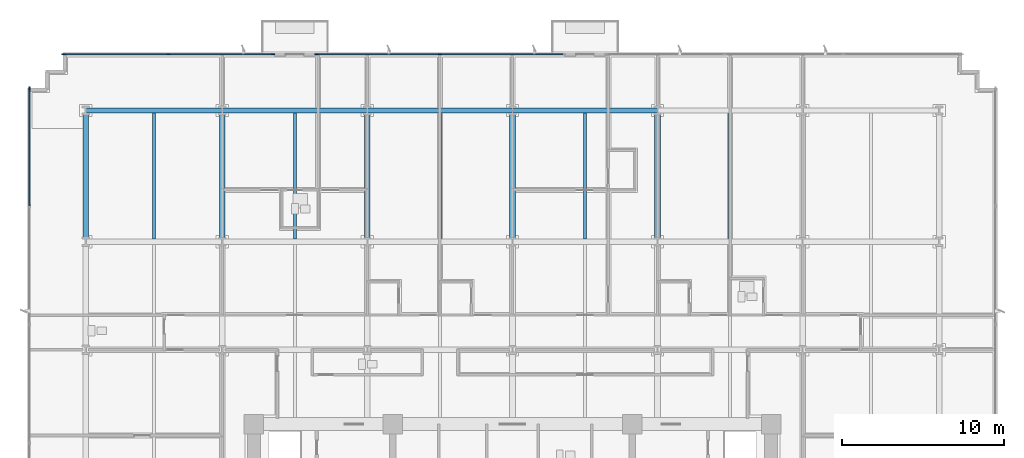
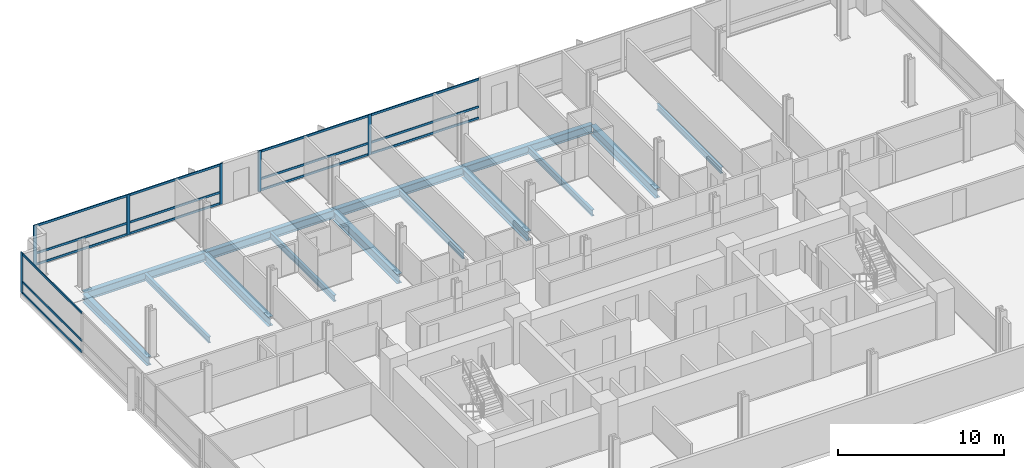
# One storey, part 5 of 15: 21 members, 14 beams, 3 elements without a shape of their own.
"""IFC4 building model written with IfcOpenShell, lengths in metres."""

from ifc_helpers import new_model, si_unit, direction, frame, origin, origin_2d, place, context, subcontext, project, spatial, rectangle, i_section, extrude, material, material_profile, profile_set, type_object, element, aggregate, save


model = new_model("IFC4")

# Units and contexts
model_context = context("Model", 3, precision=1e-05, world=origin(), true_north=direction((0.0, 1.0)))
body_context = subcontext(model_context, "Body", "Model", "MODEL_VIEW")
ifc_project = project(units=[si_unit("LENGTHUNIT", "METRE"), si_unit("AREAUNIT", "SQUARE_METRE"), si_unit("VOLUMEUNIT", "CUBIC_METRE"), si_unit("PLANEANGLEUNIT", "RADIAN"), si_unit("MASSUNIT", "GRAM", prefix="KILO")], contexts=[model_context])

# Site, building, storey
site_placement = place(None, origin())
site = spatial("IfcSite", under=ifc_project, at=site_placement, CompositionType="ELEMENT")
building_placement = place(site_placement, origin())
building = spatial("IfcBuilding", under=site, at=building_placement, Name="Solmavex Isthmus Hotel", CompositionType="ELEMENT")
storey_placement = place(building_placement, frame((0.0, 0.0, 71.25)))
storey = spatial("IfcBuildingStorey", under=building, at=storey_placement, Name="L19", CompositionType="ELEMENT", Elevation=71.25)

# Beams
ifc_material_1 = material(Name="Steel ASTM A992 Grade 50", Category="steel")
ifc_material_profile_1 = material_profile(ifc_material_1, i_section(OverallWidth=0.354736328125, OverallDepth=0.695556640625, WebThickness=0.015380859375, FlangeThickness=0.02490234375, FilletRadius=0.017822265625, at=origin_2d()), Name="W27X146")
ifc_profile_set_1 = profile_set([ifc_material_profile_1], Name="Steel ASTM A992 Grade 50")
beam_type_1 = type_object("IfcBeamType", Name="BM-BG-W27X146", PredefinedType="BEAM", material=ifc_profile_set_1)
for number, where, z_axis, x_axis, name in (
    (1, (-17.951904296875, 8.96533203125, -0.607666015625), (0.0, 1.0, 0.0), (-1.0, 0.0, 0.0), "Floor Beam L19-VG30"),
    (2, (-8.97607421875, 8.96533203125, -0.607666015625), (0.0, 1.0, 0.0), (-1.0, 0.0, 0.0), "Floor Beam L19-VG34"),
    (3, (0.0, 8.96533203125, -0.607666015625), (0.0, 1.0, 0.0), (-1.0, 0.0, 0.0), "Floor Beam L19-VG38"),
    (4, (8.97607421875, 8.96533203125, -0.607666015625), (0.0, 1.0, 0.0), (-1.0, 0.0, 0.0), "Floor Beam L19-VG42"),
):
    element("IfcBeam", number, at=place(storey_placement, frame(where, z_axis=z_axis, x_axis=x_axis)), inside=storey, type_object=beam_type_1, Name=name, PredefinedType="BEAM", context=body_context, shape_type="SweptSolid", body=[
        extrude(i_section(OverallWidth=0.354736328125, OverallDepth=0.695556640625, WebThickness=0.015380859375, FlangeThickness=0.02490234375, FilletRadius=0.017822265625, at=origin_2d()), origin(), (0.0, 0.0, 1.0), 7.771484375),
    ])
ifc_material_profile_2 = material_profile(ifc_material_1, i_section(OverallWidth=0.1904296875, OverallDepth=0.456787109375, WebThickness=0.009033203125, FlangeThickness=0.014404296875, FilletRadius=0.0126953125, at=origin_2d()), Name="W18X50")
ifc_profile_set_2 = profile_set([ifc_material_profile_2], Name="Steel ASTM A992 Grade 50")
beam_type_2 = type_object("IfcBeamType", Name="BM-BJ-W18X50", PredefinedType="JOIST", material=ifc_profile_set_2)
for number, where, z_axis, x_axis, name in (
    (5, (-22.176025390625, 8.96533203125, -0.488525390625), (0.0, 1.0, 0.0), (-1.0, 0.0, 0.0), "Secondary Floor Joist L19-J03"),
    (6, (-13.464111328125, 8.96533203125, -0.488525390625), (0.0, 1.0, 0.0), (-1.0, 0.0, 0.0), "Secondary Floor Joist L19-J07"),
    (7, (-4.488037109375, 8.96533203125, -0.488525390625), (0.0, 1.0, 0.0), (-1.0, 0.0, 0.0), "Secondary Floor Joist L19-J11"),
    (8, (4.488037109375, 8.96533203125, -0.488525390625), (0.0, 1.0, 0.0), (-1.0, 0.0, 0.0), "Secondary Floor Joist L19-J15"),
    (9, (13.464111328125, 8.96533203125, -0.488525390625), (0.0, 1.0, 0.0), (-1.0, 0.0, 0.0), "Secondary Floor Joist L19-J19"),
):
    element("IfcBeam", number, at=place(storey_placement, frame(where, z_axis=z_axis, x_axis=x_axis)), inside=storey, type_object=beam_type_2, Name=name, PredefinedType="JOIST", context=body_context, shape_type="SweptSolid", body=[
        extrude(i_section(OverallWidth=0.1904296875, OverallDepth=0.456787109375, WebThickness=0.009033203125, FlangeThickness=0.014404296875, FilletRadius=0.0126953125, at=origin_2d()), origin(), (0.0, 0.0, 1.0), 7.771484375),
    ])
ifc_material_profile_3 = material_profile(ifc_material_1, i_section(OverallWidth=0.326416015625, OverallDepth=0.621826171875, WebThickness=0.015380859375, FlangeThickness=0.0244140625, FilletRadius=0.01513671875, at=origin_2d()), Name="W24X131")
ifc_profile_set_3 = profile_set([ifc_material_profile_3], Name="Steel ASTM A992 Grade 50")
beam_type_3 = type_object("IfcBeamType", Name="BM-SP-W24X131", PredefinedType="SPANDREL", material=ifc_profile_set_3)
beam_1_placement = place(storey_placement, frame((-26.39990234375, 16.89990234375, -0.57080078125), z_axis=(1.0, 0.0, 0.0), x_axis=(0.0, 1.0, 0.0)))
element("IfcBeam", 10, at=beam_1_placement, inside=storey, type_object=beam_type_3, Name="Floor Girder L19-UG19", PredefinedType="SPANDREL", context=body_context, shape_type="SweptSolid", body=[
    extrude(i_section(OverallWidth=0.326416015625, OverallDepth=0.621826171875, WebThickness=0.015380859375, FlangeThickness=0.0244140625, FilletRadius=0.01513671875, at=origin_2d()), origin(), (0.0, 0.0, 1.0), 8.447998046875),
])
beam_2_placement = place(storey_placement, frame((-17.951904296875, 16.89990234375, -0.57080078125), z_axis=(1.0, 0.0, 0.0), x_axis=(0.0, 1.0, 0.0)))
element("IfcBeam", 11, at=beam_2_placement, inside=storey, type_object=beam_type_3, Name="Floor Girder L19-UG20", PredefinedType="SPANDREL", context=body_context, shape_type="SweptSolid", body=[
    extrude(i_section(OverallWidth=0.326416015625, OverallDepth=0.621826171875, WebThickness=0.015380859375, FlangeThickness=0.0244140625, FilletRadius=0.01513671875, at=origin_2d()), origin(), (0.0, 0.0, 1.0), 8.975830078125),
])
for number, where, z_axis, x_axis, name in (
    (12, (-8.97607421875, 16.89990234375, -0.57080078125), (1.0, 0.0, 0.0), (0.0, 1.0, 0.0), "Floor Girder L19-UG21"),
    (13, (0.0, 16.89990234375, -0.57080078125), (1.0, 0.0, 0.0), (0.0, 1.0, 0.0), "Floor Girder L19-UG22"),
):
    element("IfcBeam", number, at=place(storey_placement, frame(where, z_axis=z_axis, x_axis=x_axis)), inside=storey, type_object=beam_type_3, Name=name, PredefinedType="SPANDREL", context=body_context, shape_type="SweptSolid", body=[
        extrude(i_section(OverallWidth=0.326416015625, OverallDepth=0.621826171875, WebThickness=0.015380859375, FlangeThickness=0.0244140625, FilletRadius=0.01513671875, at=origin_2d()), origin(), (0.0, 0.0, 1.0), 8.97607421875),
    ])
beam_3_placement = place(storey_placement, frame((-26.39990234375, 8.96533203125, -0.57080078125), z_axis=(0.0, 1.0, 0.0), x_axis=(-1.0, 0.0, 0.0)))
element("IfcBeam", 14, at=beam_3_placement, inside=storey, type_object=beam_type_3, Name="Floor Beam L19-VG27", PredefinedType="SPANDREL", context=body_context, shape_type="SweptSolid", body=[
    extrude(i_section(OverallWidth=0.326416015625, OverallDepth=0.621826171875, WebThickness=0.015380859375, FlangeThickness=0.0244140625, FilletRadius=0.01513671875, at=origin_2d()), origin(), (0.0, 0.0, 1.0), 7.771484375),
])

# Curtain wall, members
ifc_material_2 = material(Name="Aluminium alloy 6063-T6", Category="aluminium")
curtain_wall_type = type_object("IfcCurtainWallType", Name="CW-SYS-02", PredefinedType="NOTDEFINED", material=ifc_material_2)
curtain_wall_1_placement = place(storey_placement, origin())
curtain_wall_1 = element("IfcCurtainWall", 15, at=curtain_wall_1_placement, inside=storey, type_object=curtain_wall_type, Name="Stick Curtain Wall CWL-L19-N1", PredefinedType="NOTDEFINED")
ifc_material_profile_4 = material_profile(ifc_material_2, rectangle(XDim=0.074951171875, YDim=0.219970703125, at=origin_2d()), Name="CWM-75X220")
ifc_profile_set_4 = profile_set([ifc_material_profile_4], Name="Aluminium alloy 6063-T6")
member_type_1 = type_object("IfcMemberType", Name="CW-SYS-02-MUL", PredefinedType="MULLION", material=ifc_profile_set_4)
member_1_placement = place(storey_placement, frame((-27.762451171875, 20.3798828125, 0.0), z_axis=(0.0, 0.0, 1.0), x_axis=(0.0, 1.0, 0.0)))
member_1 = element("IfcMember", 16, at=member_1_placement, type_object=member_type_1, Name="CW-02 mullion 1", PredefinedType="MULLION", context=body_context, shape_type="SweptSolid", body=[
    extrude(rectangle(XDim=0.074951171875, YDim=0.219970703125, at=origin_2d()), origin(), (0.0, 0.0, 1.0), 3.0),
])
member_2_placement = place(storey_placement, frame((-21.281982421875, 20.3798828125, 0.0), z_axis=(0.0, 0.0, 1.0), x_axis=(0.0, 1.0, 0.0)))
member_2 = element("IfcMember", 17, at=member_2_placement, type_object=member_type_1, Name="CW-02 mullion 2", PredefinedType="MULLION", context=body_context, shape_type="SweptSolid", body=[
    extrude(rectangle(XDim=0.074951171875, YDim=0.219970703125, at=origin_2d()), origin(), (0.0, 0.0, 1.0), 3.0),
])
member_3_placement = place(storey_placement, frame((-14.801513671875, 20.3798828125, 0.0), z_axis=(0.0, 0.0, 1.0), x_axis=(0.0, 1.0, 0.0)))
member_3 = element("IfcMember", 18, at=member_3_placement, type_object=member_type_1, Name="CW-02 mullion 3", PredefinedType="MULLION", context=body_context, shape_type="SweptSolid", body=[
    extrude(rectangle(XDim=0.074951171875, YDim=0.219970703125, at=origin_2d()), origin(), (0.0, 0.0, 1.0), 3.0),
])

curtain_wall_2_placement = place(storey_placement, origin())
curtain_wall_2 = element("IfcCurtainWall", 19, at=curtain_wall_2_placement, inside=storey, type_object=curtain_wall_type, Name="Stick Curtain Wall CWL-L19-N2", PredefinedType="NOTDEFINED")
member_4_placement = place(storey_placement, frame((-12.12646484375, 20.3798828125, 0.0), z_axis=(0.0, 0.0, 1.0), x_axis=(0.0, 1.0, 0.0)))
member_4 = element("IfcMember", 20, at=member_4_placement, type_object=member_type_1, Name="CW-02 mullion 1", PredefinedType="MULLION", context=body_context, shape_type="SweptSolid", body=[
    extrude(rectangle(XDim=0.074951171875, YDim=0.219970703125, at=origin_2d()), origin(), (0.0, 0.0, 1.0), 3.0),
])
member_5_placement = place(storey_placement, frame((-4.488037109375, 20.3798828125, 0.0), z_axis=(0.0, 0.0, 1.0), x_axis=(0.0, 1.0, 0.0)))
member_5 = element("IfcMember", 21, at=member_5_placement, type_object=member_type_1, Name="CW-02 mullion 2", PredefinedType="MULLION", context=body_context, shape_type="SweptSolid", body=[
    extrude(rectangle(XDim=0.074951171875, YDim=0.219970703125, at=origin_2d()), origin(), (0.0, 0.0, 1.0), 3.0),
])

# Curtain wall, member
curtain_wall_3_placement = place(storey_placement, origin())
curtain_wall_3 = element("IfcCurtainWall", 22, at=curtain_wall_3_placement, inside=storey, type_object=curtain_wall_type, Name="Stick Curtain Wall CWL-L19-W1", PredefinedType="NOTDEFINED")
member_6_placement = place(storey_placement, frame((-29.8798828125, 18.262451171875, 0.0), z_axis=(0.0, 0.0, 1.0), x_axis=(-1.0, 0.0, 0.0)))
member_6 = element("IfcMember", 23, at=member_6_placement, type_object=member_type_1, Name="CW-02 mullion 6", PredefinedType="MULLION", context=body_context, shape_type="SweptSolid", body=[
    extrude(rectangle(XDim=0.074951171875, YDim=0.219970703125, at=origin_2d()), origin(), (0.0, 0.0, 1.0), 3.0),
])

# Member
ifc_material_profile_5 = material_profile(ifc_material_2, rectangle(XDim=0.074951171875, YDim=0.159912109375, at=origin_2d()), Name="CWT-75X160")
ifc_profile_set_5 = profile_set([ifc_material_profile_5], Name="Aluminium alloy 6063-T6")
member_type_2 = type_object("IfcMemberType", Name="CW-SYS-02-TRN", PredefinedType="USERDEFINED", material=ifc_profile_set_5)
member_7_placement = place(storey_placement, frame((-27.72509765625, 20.3798828125, 0.080078125), z_axis=(1.0, 0.0, 0.0), x_axis=(0.0, 1.0, 0.0)))
member_7 = element("IfcMember", 24, at=member_7_placement, type_object=member_type_2, Name="CW-02 transom 1.1", ObjectType="TRANSOM", PredefinedType="USERDEFINED", context=body_context, shape_type="SweptSolid", body=[
    extrude(rectangle(XDim=0.074951171875, YDim=0.159912109375, at=origin_2d()), origin(), (0.0, 0.0, 1.0), 6.405517578125),
])

member_8_placement = place(storey_placement, frame((-27.72509765625, 20.3798828125, 0.89990234375), z_axis=(1.0, 0.0, 0.0), x_axis=(0.0, 1.0, 0.0)))
member_8 = element("IfcMember", 25, at=member_8_placement, type_object=member_type_2, Name="CW-02 transom 1.2", ObjectType="TRANSOM", PredefinedType="USERDEFINED", context=body_context, shape_type="SweptSolid", body=[
    extrude(rectangle(XDim=0.074951171875, YDim=0.159912109375, at=origin_2d()), origin(), (0.0, 0.0, 1.0), 6.405517578125),
])

member_9_placement = place(storey_placement, frame((-27.72509765625, 20.3798828125, 2.919921875), z_axis=(1.0, 0.0, 0.0), x_axis=(0.0, 1.0, 0.0)))
member_9 = element("IfcMember", 26, at=member_9_placement, type_object=member_type_2, Name="CW-02 transom 1.3", ObjectType="TRANSOM", PredefinedType="USERDEFINED", context=body_context, shape_type="SweptSolid", body=[
    extrude(rectangle(XDim=0.074951171875, YDim=0.159912109375, at=origin_2d()), origin(), (0.0, 0.0, 1.0), 6.405517578125),
])

member_10_placement = place(storey_placement, frame((-21.244384765625, 20.3798828125, 0.080078125), z_axis=(1.0, 0.0, 0.0), x_axis=(0.0, 1.0, 0.0)))
member_10 = element("IfcMember", 27, at=member_10_placement, type_object=member_type_2, Name="CW-02 transom 2.1", ObjectType="TRANSOM", PredefinedType="USERDEFINED", context=body_context, shape_type="SweptSolid", body=[
    extrude(rectangle(XDim=0.074951171875, YDim=0.159912109375, at=origin_2d()), origin(), (0.0, 0.0, 1.0), 6.4052734375),
])

member_11_placement = place(storey_placement, frame((-21.244384765625, 20.3798828125, 0.89990234375), z_axis=(1.0, 0.0, 0.0), x_axis=(0.0, 1.0, 0.0)))
member_11 = element("IfcMember", 28, at=member_11_placement, type_object=member_type_2, Name="CW-02 transom 2.2", ObjectType="TRANSOM", PredefinedType="USERDEFINED", context=body_context, shape_type="SweptSolid", body=[
    extrude(rectangle(XDim=0.074951171875, YDim=0.159912109375, at=origin_2d()), origin(), (0.0, 0.0, 1.0), 6.4052734375),
])

member_12_placement = place(storey_placement, frame((-21.244384765625, 20.3798828125, 2.919921875), z_axis=(1.0, 0.0, 0.0), x_axis=(0.0, 1.0, 0.0)))
member_12 = element("IfcMember", 29, at=member_12_placement, type_object=member_type_2, Name="CW-02 transom 2.3", ObjectType="TRANSOM", PredefinedType="USERDEFINED", context=body_context, shape_type="SweptSolid", body=[
    extrude(rectangle(XDim=0.074951171875, YDim=0.159912109375, at=origin_2d()), origin(), (0.0, 0.0, 1.0), 6.4052734375),
])

aggregate(curtain_wall_1, [member_1, member_2, member_3, member_7, member_8, member_9, member_10, member_11, member_12])

member_13_placement = place(storey_placement, frame((-12.089111328125, 20.3798828125, 0.080078125), z_axis=(1.0, 0.0, 0.0), x_axis=(0.0, 1.0, 0.0)))
member_13 = element("IfcMember", 30, at=member_13_placement, type_object=member_type_2, Name="CW-02 transom 1.1", ObjectType="TRANSOM", PredefinedType="USERDEFINED", context=body_context, shape_type="SweptSolid", body=[
    extrude(rectangle(XDim=0.074951171875, YDim=0.159912109375, at=origin_2d()), origin(), (0.0, 0.0, 1.0), 7.563720703125),
])

member_14_placement = place(storey_placement, frame((-12.089111328125, 20.3798828125, 0.89990234375), z_axis=(1.0, 0.0, 0.0), x_axis=(0.0, 1.0, 0.0)))
member_14 = element("IfcMember", 31, at=member_14_placement, type_object=member_type_2, Name="CW-02 transom 1.2", ObjectType="TRANSOM", PredefinedType="USERDEFINED", context=body_context, shape_type="SweptSolid", body=[
    extrude(rectangle(XDim=0.074951171875, YDim=0.159912109375, at=origin_2d()), origin(), (0.0, 0.0, 1.0), 7.563720703125),
])

member_15_placement = place(storey_placement, frame((-12.089111328125, 20.3798828125, 2.919921875), z_axis=(1.0, 0.0, 0.0), x_axis=(0.0, 1.0, 0.0)))
member_15 = element("IfcMember", 32, at=member_15_placement, type_object=member_type_2, Name="CW-02 transom 1.3", ObjectType="TRANSOM", PredefinedType="USERDEFINED", context=body_context, shape_type="SweptSolid", body=[
    extrude(rectangle(XDim=0.074951171875, YDim=0.159912109375, at=origin_2d()), origin(), (0.0, 0.0, 1.0), 7.563720703125),
])

member_16_placement = place(storey_placement, frame((-4.450439453125, 20.3798828125, 0.080078125), z_axis=(1.0, 0.0, 0.0), x_axis=(0.0, 1.0, 0.0)))
member_16 = element("IfcMember", 33, at=member_16_placement, type_object=member_type_2, Name="CW-02 transom 2.1", ObjectType="TRANSOM", PredefinedType="USERDEFINED", context=body_context, shape_type="SweptSolid", body=[
    extrude(rectangle(XDim=0.074951171875, YDim=0.159912109375, at=origin_2d()), origin(), (0.0, 0.0, 1.0), 7.5634765625),
])

member_17_placement = place(storey_placement, frame((-4.450439453125, 20.3798828125, 0.89990234375), z_axis=(1.0, 0.0, 0.0), x_axis=(0.0, 1.0, 0.0)))
member_17 = element("IfcMember", 34, at=member_17_placement, type_object=member_type_2, Name="CW-02 transom 2.2", ObjectType="TRANSOM", PredefinedType="USERDEFINED", context=body_context, shape_type="SweptSolid", body=[
    extrude(rectangle(XDim=0.074951171875, YDim=0.159912109375, at=origin_2d()), origin(), (0.0, 0.0, 1.0), 7.5634765625),
])

member_18_placement = place(storey_placement, frame((-4.450439453125, 20.3798828125, 2.919921875), z_axis=(1.0, 0.0, 0.0), x_axis=(0.0, 1.0, 0.0)))
member_18 = element("IfcMember", 35, at=member_18_placement, type_object=member_type_2, Name="CW-02 transom 2.3", ObjectType="TRANSOM", PredefinedType="USERDEFINED", context=body_context, shape_type="SweptSolid", body=[
    extrude(rectangle(XDim=0.074951171875, YDim=0.159912109375, at=origin_2d()), origin(), (0.0, 0.0, 1.0), 7.5634765625),
])

aggregate(curtain_wall_2, [member_4, member_5, member_13, member_14, member_15, member_16, member_17, member_18])

member_19_placement = place(storey_placement, frame((-29.8798828125, 11.017578125, 0.080078125), z_axis=(0.0, 1.0, 0.0), x_axis=(-1.0, 0.0, 0.0)))
member_19 = element("IfcMember", 36, at=member_19_placement, type_object=member_type_2, Name="CW-02 transom 5.1", ObjectType="TRANSOM", PredefinedType="USERDEFINED", context=body_context, shape_type="SweptSolid", body=[
    extrude(rectangle(XDim=0.074951171875, YDim=0.159912109375, at=origin_2d()), origin(), (0.0, 0.0, 1.0), 7.20751953125),
])

member_20_placement = place(storey_placement, frame((-29.8798828125, 11.017578125, 0.89990234375), z_axis=(0.0, 1.0, 0.0), x_axis=(-1.0, 0.0, 0.0)))
member_20 = element("IfcMember", 37, at=member_20_placement, type_object=member_type_2, Name="CW-02 transom 5.2", ObjectType="TRANSOM", PredefinedType="USERDEFINED", context=body_context, shape_type="SweptSolid", body=[
    extrude(rectangle(XDim=0.074951171875, YDim=0.159912109375, at=origin_2d()), origin(), (0.0, 0.0, 1.0), 7.20751953125),
])

member_21_placement = place(storey_placement, frame((-29.8798828125, 11.017578125, 2.919921875), z_axis=(0.0, 1.0, 0.0), x_axis=(-1.0, 0.0, 0.0)))
member_21 = element("IfcMember", 38, at=member_21_placement, type_object=member_type_2, Name="CW-02 transom 5.3", ObjectType="TRANSOM", PredefinedType="USERDEFINED", context=body_context, shape_type="SweptSolid", body=[
    extrude(rectangle(XDim=0.074951171875, YDim=0.159912109375, at=origin_2d()), origin(), (0.0, 0.0, 1.0), 7.20751953125),
])

aggregate(curtain_wall_3, [member_6, member_19, member_20, member_21])

save(model, "model.ifc")
